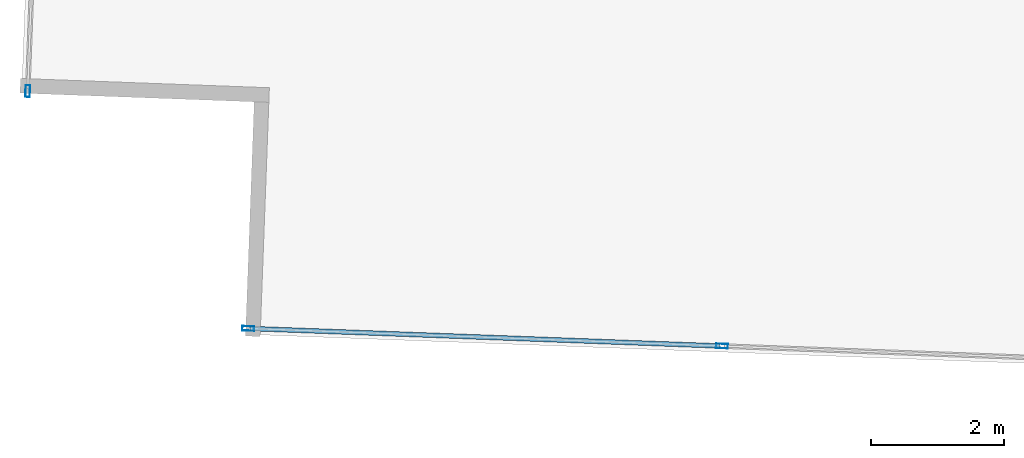
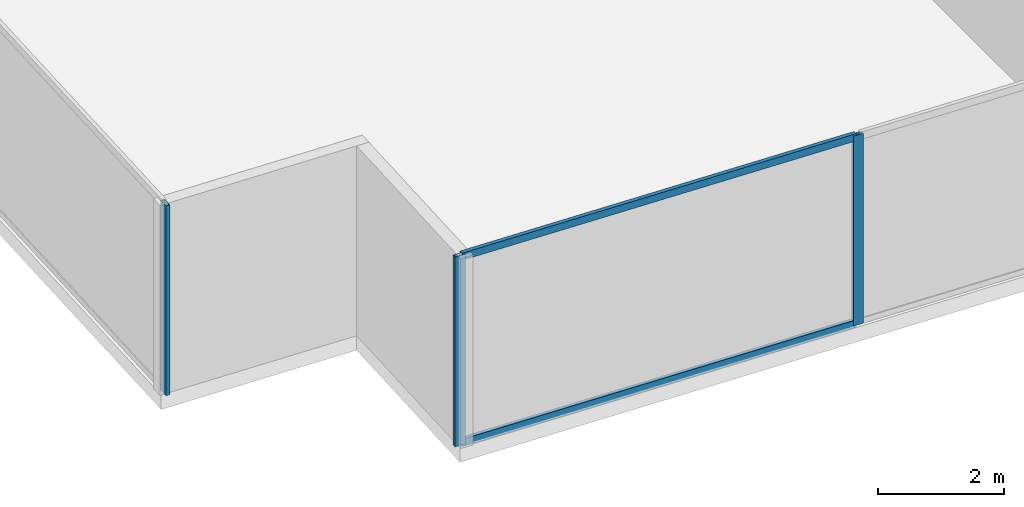
# One storey, part 2 of 30: 5 members, 2 elements without a shape of their own.
"""IFC4 building model written with IfcOpenShell, lengths in metres."""

from ifc_helpers import new_model, si_unit, direction, frame, origin, origin_2d, place, context, subcontext, project, spatial, hollow_rectangle, extrude, source, transform, mapped, material, material_profile, profile_set, type_object, type_shapes, element, aggregate, save


model = new_model("IFC4")

# Units and contexts
model_context = context("Model", 3, precision=1e-05, world=origin(), true_north=direction((0.0, 1.0)))
body_context = subcontext(model_context, "Body", "Model", "MODEL_VIEW")
ifc_project = project(units=[si_unit("LENGTHUNIT", "METRE"), si_unit("AREAUNIT", "SQUARE_METRE"), si_unit("VOLUMEUNIT", "CUBIC_METRE"), si_unit("PLANEANGLEUNIT", "RADIAN"), si_unit("MASSUNIT", "GRAM", prefix="KILO")], contexts=[model_context])

# Site, building, storey
site_placement = place(None, origin())
site = spatial("IfcSite", under=ifc_project, at=site_placement, CompositionType="ELEMENT")
building_placement = place(site_placement, origin())
building = spatial("IfcBuilding", under=site, at=building_placement, Name="Krantzveldt Concourse Tower", CompositionType="ELEMENT")
storey_placement = place(building_placement, frame((0.0, 0.0, 40.800048828125)))
storey = spatial("IfcBuildingStorey", under=building, at=storey_placement, Name="L09", CompositionType="ELEMENT", Elevation=40.800048828125)

# Curtain wall, member
ifc_material = material(Name="Anodised aluminium 6063-T6", Category="aluminium")
curtain_wall_type = type_object("IfcCurtainWallType", Name="CW2", PredefinedType="USERDEFINED", material=ifc_material)
curtain_wall_1_placement = place(storey_placement, origin())
curtain_wall_1 = element("IfcCurtainWall", 1, at=curtain_wall_1_placement, inside=storey, type_object=curtain_wall_type, Name="CW-L09-F01", ObjectType="UNITISED CURTAIN WALL", PredefinedType="USERDEFINED")
ifc_material_profile_1 = material_profile(ifc_material, hollow_rectangle(XDim=0.070068359375, YDim=0.179931640625, WallThickness=0.0048828125, at=origin_2d()), Name="Anodised aluminium 6063-T6", Category="aluminium")
ifc_profile_set_1 = profile_set([ifc_material_profile_1], Name="Anodised aluminium 6063-T6 - ALU-MULL 180x70x5")
member_type_1 = type_object("IfcMemberType", Name="CW-MUL-180", PredefinedType="MULLION", material=ifc_profile_set_1)
shared_shape_1 = source(origin(), body_context, "Body", "SweptSolid", [
    extrude(hollow_rectangle(XDim=0.070068359375, YDim=0.179931640625, WallThickness=0.0048828125, at=origin_2d()), origin(), (0.0, 0.0, 1.0), 3.669921875),
])
type_shapes(member_type_1, [shared_shape_1])
member_1_placement = place(storey_placement, frame((10.311279296875, 6.17333984375, 0.0), z_axis=(0.0, 0.0, 1.0), x_axis=(0.999312308986, -0.037079766834, 0.0)))
member_1 = element("IfcMember", 2, at=member_1_placement, type_object=member_type_1, Name="CW-Z12 mullion 7", PredefinedType="MULLION", context=body_context, shape_type="MappedRepresentation", body=[
    mapped(shared_shape_1, transform((0.0, 0.0, 0.0), x_axis=(1.0, 0.0, 0.0), y_axis=(0.0, 1.0, 0.0), z_axis=(0.0, 0.0, 1.0), scale=1.0)),
])
aggregate(curtain_wall_1, [member_1])

# Curtain wall, members
curtain_wall_2_placement = place(storey_placement, origin())
curtain_wall_2 = element("IfcCurtainWall", 3, at=curtain_wall_2_placement, inside=storey, type_object=curtain_wall_type, Name="CW-L09-F04", ObjectType="UNITISED CURTAIN WALL", PredefinedType="USERDEFINED")
member_2_placement = place(storey_placement, frame((13.626220703125, 2.60302734375, 0.0), z_axis=(0.0, 0.0, 1.0), x_axis=(0.037079766834, 0.999312308986, 0.0)))
member_2 = element("IfcMember", 4, at=member_2_placement, type_object=member_type_1, Name="CW-Z12 mullion 1", PredefinedType="MULLION", context=body_context, shape_type="MappedRepresentation", body=[
    mapped(shared_shape_1, transform((0.0, 0.0, 0.0), x_axis=(1.0, 0.0, 0.0), y_axis=(0.0, 1.0, 0.0), z_axis=(0.0, 0.0, 1.0), scale=1.0)),
])
member_3_placement = place(storey_placement, frame((20.7529296875, 2.338623046875, 0.0), z_axis=(0.0, 0.0, 1.0), x_axis=(0.037079766834, 0.999312308986, 0.0)))
member_3 = element("IfcMember", 5, at=member_3_placement, type_object=member_type_1, Name="CW-Z12 mullion 2", PredefinedType="MULLION", context=body_context, shape_type="MappedRepresentation", body=[
    mapped(shared_shape_1, transform((0.0, 0.0, 0.0), x_axis=(1.0, 0.0, 0.0), y_axis=(0.0, 1.0, 0.0), z_axis=(0.0, 0.0, 1.0), scale=1.0)),
])
ifc_material_profile_2 = material_profile(ifc_material, hollow_rectangle(XDim=0.070068359375, YDim=0.139892578125, WallThickness=0.0048828125, at=origin_2d()), Name="Anodised aluminium 6063-T6", Category="aluminium")
ifc_profile_set_2 = profile_set([ifc_material_profile_2], Name="Anodised aluminium 6063-T6 - ALU-TRAN 140x70x5")
member_type_2 = type_object("IfcMemberType", Name="CW-TRN-150", PredefinedType="USERDEFINED", material=ifc_profile_set_2)
shared_shape_2 = source(origin(), body_context, "Body", "SweptSolid", [
    extrude(hollow_rectangle(XDim=0.070068359375, YDim=0.139892578125, WallThickness=0.0048828125, at=origin_2d()), origin(), (0.0, 0.0, 1.0), 7.0615234375),
])
type_shapes(member_type_2, [shared_shape_2])
member_4_placement = place(storey_placement, frame((13.6611328125, 2.601806640625, 0.034912109375), z_axis=(0.999311656912, -0.037097336281, 0.0), x_axis=(0.037097336281, 0.999311656912, 0.0)))
member_4 = element("IfcMember", 6, at=member_4_placement, type_object=member_type_2, Name="CW-Z12 transom 1.1", ObjectType="TRANSOM", PredefinedType="USERDEFINED", context=body_context, shape_type="MappedRepresentation", body=[
    mapped(shared_shape_2, transform((0.0, 0.0, 0.0), x_axis=(1.0, 0.0, 0.0), y_axis=(0.0, 1.0, 0.0), z_axis=(0.0, 0.0, 1.0), scale=1.0)),
])
member_5_placement = place(storey_placement, frame((13.6611328125, 2.601806640625, 3.635009765625), z_axis=(0.999311656912, -0.037097336281, 0.0), x_axis=(0.037097336281, 0.999311656912, 0.0)))
member_5 = element("IfcMember", 7, at=member_5_placement, type_object=member_type_2, Name="CW-Z12 transom 1.2", ObjectType="TRANSOM", PredefinedType="USERDEFINED", context=body_context, shape_type="MappedRepresentation", body=[
    mapped(shared_shape_2, transform((0.0, 0.0, 0.0), x_axis=(1.0, 0.0, 0.0), y_axis=(0.0, 1.0, 0.0), z_axis=(0.0, 0.0, 1.0), scale=1.0)),
])
aggregate(curtain_wall_2, [member_2, member_3, member_4, member_5])

save(model, "model.ifc")
